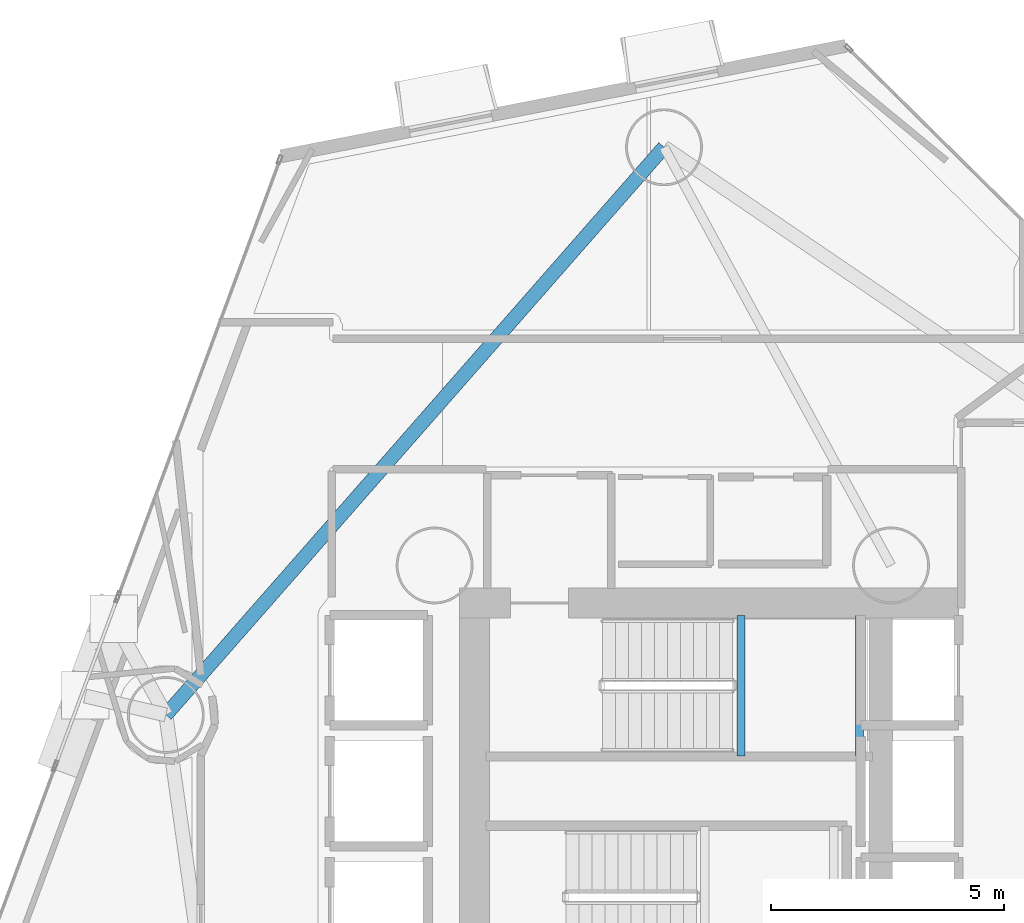
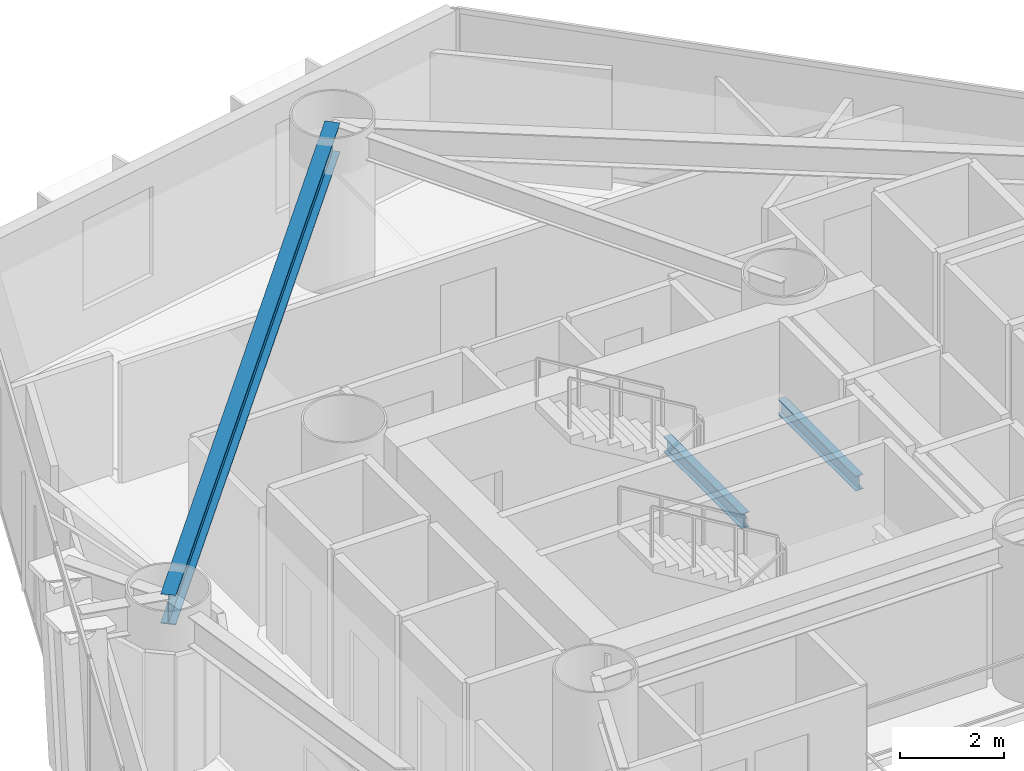
# One storey, part 9 of 24: 3 beams.
"""IFC4 building model written with IfcOpenShell, lengths in metres."""

from ifc_helpers import new_model, si_unit, direction, frame, origin, origin_2d, place, context, subcontext, project, spatial, i_section, extrude, material, material_profile, profile_set, type_object, element, save


model = new_model("IFC4")

# Units and contexts
model_context = context("Model", 3, precision=1e-05, world=origin(), true_north=direction((0.0, 1.0)))
body_context = subcontext(model_context, "Body", "Model", "MODEL_VIEW")
ifc_project = project(units=[si_unit("LENGTHUNIT", "METRE"), si_unit("AREAUNIT", "SQUARE_METRE"), si_unit("VOLUMEUNIT", "CUBIC_METRE"), si_unit("PLANEANGLEUNIT", "RADIAN"), si_unit("MASSUNIT", "GRAM", prefix="KILO")], contexts=[model_context])

# Site, building, storey
site_placement = place(None, origin())
site = spatial("IfcSite", under=ifc_project, at=site_placement, CompositionType="ELEMENT")
building_placement = place(site_placement, origin())
building = spatial("IfcBuilding", under=site, at=building_placement, Name="Qianvela Tower", CompositionType="ELEMENT")
storey_placement = place(building_placement, frame((0.0, 0.0, 59.89990234375)))
storey = spatial("IfcBuildingStorey", under=building, at=storey_placement, Name="L14", CompositionType="ELEMENT", Elevation=59.89990234375)

# Beams
ifc_material_1 = material(Name="Steel Q355B", Category="steel")
ifc_material_profile_1 = material_profile(ifc_material_1, i_section(OverallWidth=0.175048828125, OverallDepth=0.35009765625, WebThickness=0.007080078125, FlangeThickness=0.010986328125, at=origin_2d()), Name="HN350x175x7x11")
ifc_profile_set_1 = profile_set([ifc_material_profile_1], Name="Steel Q355B")
beam_type_1 = type_object("IfcBeamType", Name="BM-HN350-JOIST", PredefinedType="JOIST", material=ifc_profile_set_1)
for number, where, z_axis, x_axis, name in (
    (1, (35.179931640625, 29.4599609375, 1.47509765625), (0.0, 1.0, 0.0), (-1.0, 0.0, 0.0), "L14 Stair ST-1 Landing Support Beam 1.1"),
    (2, (37.719970703125, 29.4599609375, 1.47509765625), (0.0, 1.0, 0.0), (-1.0, 0.0, 0.0), "L14 Stair ST-1 Landing Support Beam 1.2"),
):
    element("IfcBeam", number, at=place(storey_placement, frame(where, z_axis=z_axis, x_axis=x_axis)), inside=storey, type_object=beam_type_1, Name=name, PredefinedType="JOIST", context=body_context, shape_type="SweptSolid", body=[
        extrude(i_section(OverallWidth=0.175048828125, OverallDepth=0.35009765625, WebThickness=0.007080078125, FlangeThickness=0.010986328125, at=origin_2d()), origin(), (0.0, 0.0, 1.0), 3.02001953125),
    ])
ifc_material_2 = material(Name="Steel Q355B", Category="steel")
ifc_material_profile_2 = material_profile(ifc_material_2, i_section(OverallWidth=0.300048828125, OverallDepth=0.699951171875, WebThickness=0.012939453125, FlangeThickness=0.02392578125, at=origin_2d()), Name="HN700x300x13x24")
ifc_profile_set_2 = profile_set([ifc_material_profile_2], Name="Steel Q355B")
beam_type_2 = type_object("IfcBeamType", Name="BM-HN700-SPAND", PredefinedType="SPANDREL", material=ifc_profile_set_2)
beam_placement = place(storey_placement, frame((33.52587890625, 42.529052734375, 3.168212890625), z_axis=(-0.659601693124, -0.751615331422, 0.0), x_axis=(0.751615331422, -0.659601693124, 0.0)))
element("IfcBeam", 3, at=beam_placement, inside=storey, type_object=beam_type_2, Name="L14 Perimeter Ring Spandrel Girder 3", PredefinedType="SPANDREL", context=body_context, shape_type="SweptSolid", body=[
    extrude(i_section(OverallWidth=0.300048828125, OverallDepth=0.699951171875, WebThickness=0.012939453125, FlangeThickness=0.02392578125, at=origin_2d()), origin(), (0.0, 0.0, 1.0), 16.217041015625),
])

save(model, "model.ifc")
